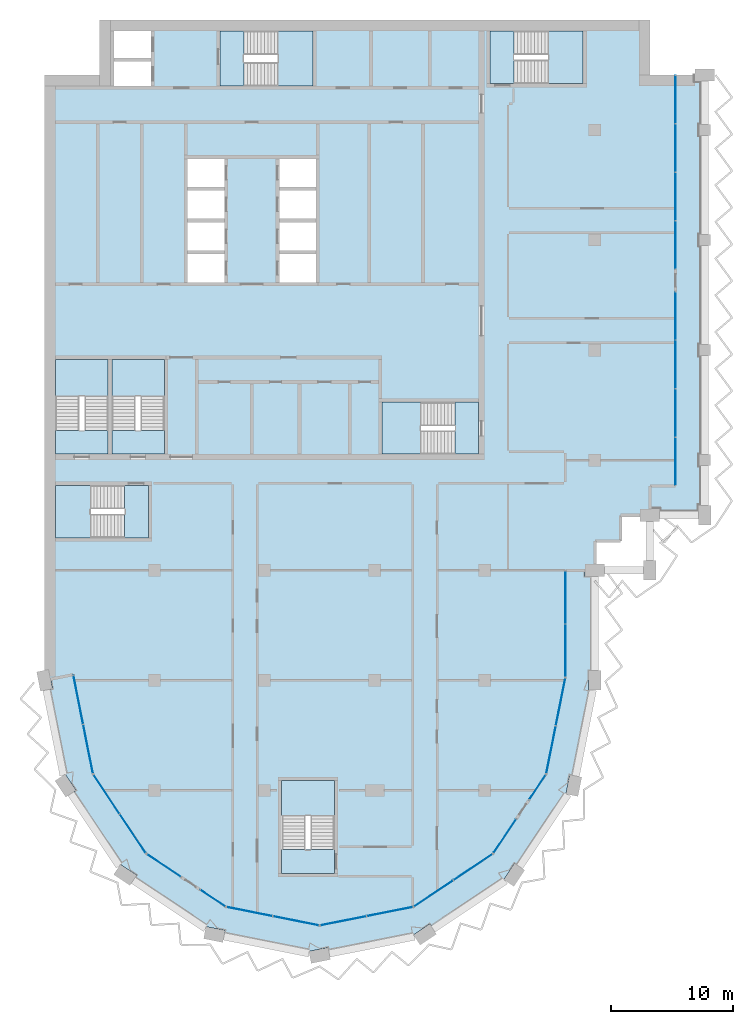
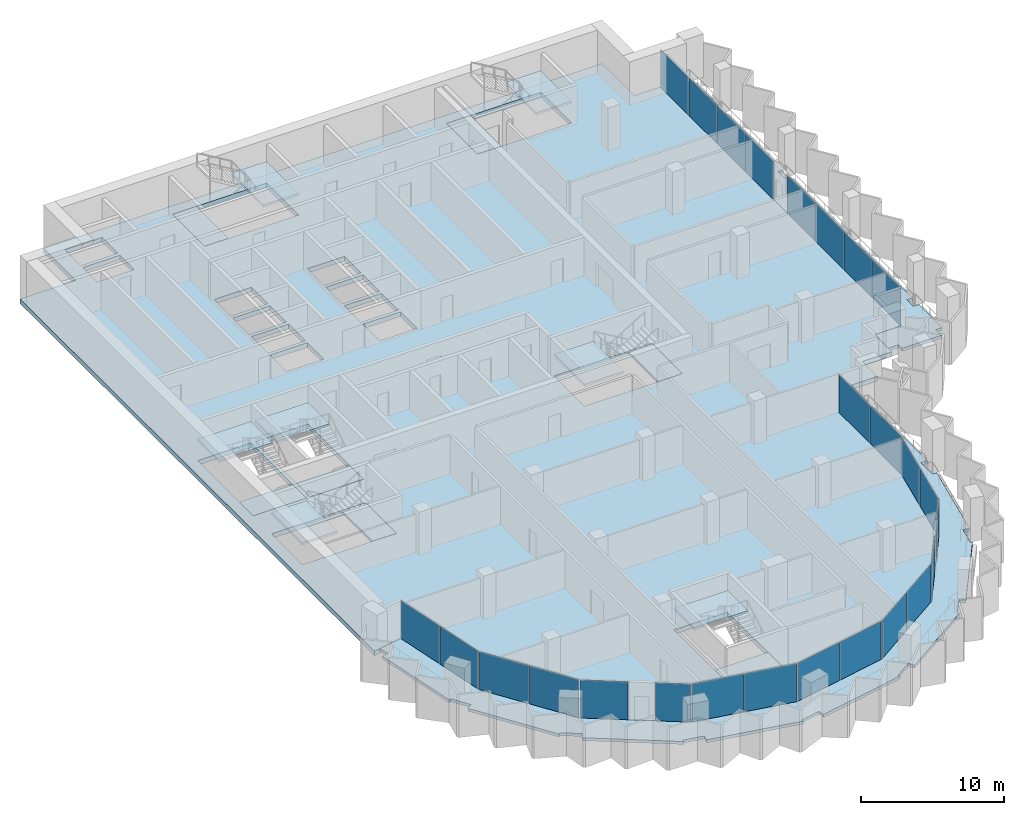
# One storey, part 6 of 16: 26 plates, 17 slabs, 20 elements without a shape of their own.
"""IFC4 building model written with IfcOpenShell, lengths in metres."""

import ifcopenshell
import ifcopenshell.guid

model = None  # the IFC model being written
_history = None  # IfcOwnerHistory: only IFC2X3 demands one
_inside = {}  # id of a spatial element -> (the spatial element, [elements in it])
_under = {}  # id of a project, library or spatial element -> (it, [spatial elements below it])
_declared = {}  # id of a project -> (the project, [libraries it declares])
_typed = {}  # id of a type object -> (the type object, [elements of that type])
_made_of = {}  # id of a material, layer set ... -> (it, [elements and type objects made of it])


def new_model(schema):
    """Start an empty IFC model of exactly this schema.

    Asked for "IFC4X3", IfcOpenShell would pick the latest addendum, in which some entities
    have other attributes; the version numbers below select the first issue.
    IFC2X3 requires an IfcOwnerHistory on every rooted entity: one is made here for all.
    """
    global model, _history
    if schema == "IFC4X3":
        model = ifcopenshell.file(schema_version=(4, 3, 0, 0))
    else:
        model = ifcopenshell.file(schema=schema)
    _inside.clear()
    _under.clear()
    _declared.clear()
    _typed.clear()
    _made_of.clear()
    _history = None
    if model.schema == "IFC2X3":
        org = make("IfcOrganization", Name="unknown")
        user = make(
            "IfcPersonAndOrganization",
            ThePerson=make("IfcPerson", FamilyName="unknown"),
            TheOrganization=org,
        )
        app = make(
            "IfcApplication",
            ApplicationDeveloper=org,
            Version="unknown",
            ApplicationFullName="unknown",
            ApplicationIdentifier="unknown",
        )
        _history = make(
            "IfcOwnerHistory",
            OwningUser=user,
            OwningApplication=app,
            ChangeAction="ADDED",
            CreationDate=0,
        )
    return model


def make(cls, **values):
    """One entity of the class cls with the attributes given. An attribute that is None is left unset."""
    return model.create_entity(
        cls, **{name: value for name, value in values.items() if value is not None}
    )


def rooted(cls, **values):
    """An entity with a GlobalId (a new one), such as an element, a storey or a relation."""
    return make(cls, GlobalId=ifcopenshell.guid.new(), OwnerHistory=_history, **values)


def si_unit(unit_type, name, prefix=None):
    """IfcSIUnit, for example si_unit("LENGTHUNIT", "METRE", prefix="MILLI")."""
    return make("IfcSIUnit", UnitType=unit_type, Prefix=prefix, Name=name)


def assignment(units):
    """IfcUnitAssignment: the units of a project."""
    return None if units is None else make("IfcUnitAssignment", Units=units)


def point(xyz):
    """IfcCartesianPoint."""
    return None if xyz is None else make("IfcCartesianPoint", Coordinates=xyz)


def direction(xyz):
    """IfcDirection."""
    return None if xyz is None else make("IfcDirection", DirectionRatios=xyz)


def frame(location, z_axis=None, x_axis=None):
    """IfcAxis2Placement3D, a coordinate frame: its origin and axes. An axis left out is left unset."""
    return make(
        "IfcAxis2Placement3D",
        Location=point(location),
        Axis=direction(z_axis),
        RefDirection=direction(x_axis),
    )


def frame_2d(location, x_axis=None):
    """IfcAxis2Placement2D, a coordinate frame in the plane: its origin and x axis."""
    return make(
        "IfcAxis2Placement2D", Location=point(location), RefDirection=direction(x_axis)
    )


def origin():
    """The frame at (0, 0, 0) with its axes left unset."""
    return frame((0.0, 0.0, 0.0))


def origin_2d():
    """The frame at (0, 0) in the plane with its x axis left unset."""
    return frame_2d((0.0, 0.0))


def place(relative_to, where):
    """IfcLocalPlacement: puts the frame where relative to a parent placement (None: the world)."""
    return make(
        "IfcLocalPlacement", PlacementRelTo=relative_to, RelativePlacement=where
    )


def context(
    kind, dimensions, precision=None, world=None, true_north=None, identifier=None
):
    """IfcGeometricRepresentationContext, for example the 3D "Model" context."""
    return make(
        "IfcGeometricRepresentationContext",
        ContextIdentifier=identifier,
        ContextType=kind,
        CoordinateSpaceDimension=dimensions,
        Precision=precision,
        WorldCoordinateSystem=world,
        TrueNorth=true_north,
    )


def subcontext(parent, identifier, kind, view, scale=None):
    """IfcGeometricRepresentationSubContext, for example "Body" below "Model"."""
    return make(
        "IfcGeometricRepresentationSubContext",
        ContextIdentifier=identifier,
        ContextType=kind,
        ParentContext=parent,
        TargetScale=scale,
        TargetView=view,
    )


def project(units=None, contexts=None):
    """IfcProject with its units and contexts."""
    return rooted(
        "IfcProject",
        Name="project",
        RepresentationContexts=contexts,
        UnitsInContext=assignment(units),
    )


def spatial(cls, under=None, at=None, **own):
    """A site, building, storey or space (cls), placed at a placement, below another one or the project."""
    s = rooted(cls, ObjectPlacement=at, **own)
    if under is not None:
        _under.setdefault(under.id(), (under, []))[1].append(s)
    return s


def polyline(points):
    """IfcPolyline through the points."""
    return make("IfcPolyline", Points=[point(p) for p in points])


def profile(cls, at=None, kind="AREA", **sizes):
    """A parametric profile (cls). Its sizes go by their IFC names, for example OverallWidth=200.0."""
    return make(cls, ProfileType=kind, Position=at, **sizes)


def rectangle(**sizes):
    """IfcRectangleProfileDef."""
    return profile("IfcRectangleProfileDef", **sizes)


def outline(outer, holes=None, kind="AREA"):
    """IfcArbitraryClosedProfileDef: a profile drawn as a closed curve; with holes, ...WithVoids."""
    if holes is None:
        return make("IfcArbitraryClosedProfileDef", ProfileType=kind, OuterCurve=outer)
    return make(
        "IfcArbitraryProfileDefWithVoids",
        ProfileType=kind,
        OuterCurve=outer,
        InnerCurves=holes,
    )


def extrude(swept, where, along, depth):
    """IfcExtrudedAreaSolid: the profile swept, set in the frame where, extruded along a direction by depth."""
    return make(
        "IfcExtrudedAreaSolid",
        SweptArea=swept,
        Position=where,
        ExtrudedDirection=direction(along),
        Depth=depth,
    )


def shape(context_of_items, identifier, shape_type, items):
    """IfcShapeRepresentation: the items that make up one representation, for example the "Body"."""
    return make(
        "IfcShapeRepresentation",
        ContextOfItems=context_of_items,
        RepresentationIdentifier=identifier,
        RepresentationType=shape_type,
        Items=items,
    )


def material(Name=None, Category=None):
    """IfcMaterial."""
    return make("IfcMaterial", Name=Name, Category=Category)


def layer(
    of_material, thickness, ventilated=None, Name=None, Category=None, Priority=None
):
    """IfcMaterialLayer: one layer of a wall or slab, of a material (None: an air gap)."""
    return make(
        "IfcMaterialLayer",
        Material=of_material,
        LayerThickness=thickness,
        IsVentilated=ventilated,
        Name=Name,
        Category=Category,
        Priority=Priority,
    )


def layer_set(layers, Name=None):
    """IfcMaterialLayerSet."""
    return make("IfcMaterialLayerSet", MaterialLayers=layers, LayerSetName=Name)


def made_of(thing, what):
    """Note that an element or type object is made of a material, layer set ...; save() writes the relation."""
    if what is not None:
        _made_of.setdefault(what.id(), (what, []))[1].append(thing)
    return thing


def type_object(cls, material=None, **own):
    """A type object (cls), such as IfcWallType, which elements share."""
    return made_of(rooted(cls, **own), material)


def element(
    cls,
    number,
    at=None,
    inside=None,
    cuts=None,
    type_object=None,
    material=None,
    context=None,
    identifier="Body",
    shape_type=None,
    held_by="IfcProductDefinitionShape",
    body=None,
    shapes=None,
    **own,
):
    """One element of the class cls, such as IfcWall. Its Tag is "e" and its number.

    at: its placement. inside: the storey or other place that contains it. cuts: it is an
    opening in that element (IfcRelVoidsElement). A single representation is given by context,
    identifier, shape_type and body (its items); several are given by shapes. held_by: the class
    of the entity that holds the representations. save() writes the other relations.
    """
    e = rooted(cls, Tag="e%d" % number, ObjectPlacement=at, **own)
    if body is not None:
        shapes = [shape(context, identifier, shape_type, body)]
    if shapes is not None:
        e.Representation = make(held_by, Representations=shapes)
    if inside is not None:
        _inside.setdefault(inside.id(), (inside, []))[1].append(e)
    if cuts is not None:
        rooted(
            "IfcRelVoidsElement", RelatingBuildingElement=cuts, RelatedOpeningElement=e
        )
    if type_object is not None:
        _typed.setdefault(type_object.id(), (type_object, []))[1].append(e)
    return made_of(e, material)


def aggregate(whole, parts):
    """IfcRelAggregates: a whole, such as a stair, and the parts it consists of."""
    return rooted("IfcRelAggregates", RelatingObject=whole, RelatedObjects=parts)


def save(model, path):
    """Write the relations noted so far, then the file.

    IfcRelAggregates (storeys below a building ...), IfcRelContainedInSpatialStructure (elements
    in a storey), IfcRelDefinesByType, IfcRelAssociatesMaterial and IfcRelDeclares: one each for
    every whole, place, type object, material and project.
    """
    for whole, parts in _under.values():
        aggregate(whole, parts)
    for where, things in _inside.values():
        rooted(
            "IfcRelContainedInSpatialStructure",
            RelatedElements=things,
            RelatingStructure=where,
        )
    for kind, things in _typed.values():
        rooted("IfcRelDefinesByType", RelatedObjects=things, RelatingType=kind)
    for what, things in _made_of.values():
        rooted("IfcRelAssociatesMaterial", RelatedObjects=things, RelatingMaterial=what)
    for by, libraries in _declared.values():
        rooted("IfcRelDeclares", RelatingContext=by, RelatedDefinitions=libraries)
    model.write(path)


model = new_model("IFC4")

# Units and contexts
model_context = context("Model", 3, precision=1e-05, world=origin(), true_north=direction((0.0, 1.0)))
body_context = subcontext(model_context, "Body", "Model", "MODEL_VIEW")
ifc_project = project(units=[si_unit("LENGTHUNIT", "METRE"), si_unit("AREAUNIT", "SQUARE_METRE"), si_unit("VOLUMEUNIT", "CUBIC_METRE"), si_unit("PLANEANGLEUNIT", "RADIAN"), si_unit("MASSUNIT", "GRAM", prefix="KILO")], contexts=[model_context])

# Site, building, storey
site_placement = place(None, origin())
site = spatial("IfcSite", under=ifc_project, at=site_placement, CompositionType="ELEMENT")
building_placement = place(site_placement, origin())
building = spatial("IfcBuilding", under=site, at=building_placement, Name="Hunhe Ridgeline Campus", CompositionType="ELEMENT")
storey_placement = place(building_placement, frame((0.0, 0.0, 250.300048828125)))
storey = spatial("IfcBuildingStorey", under=building, at=storey_placement, Name="L64", CompositionType="ELEMENT", Elevation=250.300048828125)

# Curtain wall, plates
ifc_material_1 = material(Name="Aluminium 6063", Category="aluminium")
curtain_wall_type_1 = type_object("IfcCurtainWallType", Name="Curtain wall CW-5", PredefinedType="NOTDEFINED", material=ifc_material_1)
curtain_wall_1_placement = place(storey_placement, origin())
curtain_wall_1 = element("IfcCurtainWall", 1, at=curtain_wall_1_placement, inside=storey, type_object=curtain_wall_type_1, Name="Curtain wall 01", PredefinedType="NOTDEFINED")
ifc_material_2 = material(Name="Low-e laminated glass", Category="glass")
ifc_layer_1 = layer(ifc_material_2, 0.028076171875)
ifc_layer_set_1 = layer_set([ifc_layer_1], Name="Curtain wall glass panel 28 low-e laminated")
plate_type = type_object("IfcPlateType", Name="Curtain wall glass panel 28 low-e laminated", PredefinedType="CURTAIN_PANEL", material=ifc_layer_set_1)
plate_1_placement = place(storey_placement, frame((2.76318359375, 43.416015625, 0.0), z_axis=(0.0, 0.0, 1.0), x_axis=(0.195095347137, -0.980784280831, 0.0)))
plate_1 = element("IfcPlate", 2, at=plate_1_placement, type_object=plate_type, Name="CW-5 panel 1", PredefinedType="CURTAIN_PANEL", context=body_context, shape_type="SweptSolid", body=[
    extrude(rectangle(XDim=4.0458984375, YDim=0.028076171875, at=origin_2d()), origin(), (0.0, 0.0, 1.0), 3.22998046875),
])
plate_2_placement = place(storey_placement, frame((3.566162109375, 39.379150390625, 0.0), z_axis=(0.0, 0.0, 1.0), x_axis=(0.195095347137, -0.980784280831, 0.0)))
plate_2 = element("IfcPlate", 3, at=plate_2_placement, type_object=plate_type, Name="CW-5 panel 2", PredefinedType="CURTAIN_PANEL", context=body_context, shape_type="SweptSolid", body=[
    extrude(rectangle(XDim=4.0458984375, YDim=0.028076171875, at=origin_2d()), origin(), (0.0, 0.0, 1.0), 3.22998046875),
])
aggregate(curtain_wall_1, [plate_1, plate_2])

curtain_wall_2_placement = place(storey_placement, origin())
curtain_wall_2 = element("IfcCurtainWall", 4, at=curtain_wall_2_placement, inside=storey, type_object=curtain_wall_type_1, Name="Curtain wall 02", PredefinedType="NOTDEFINED")
plate_3_placement = place(storey_placement, frame((5.07080078125, 35.685546875, 0.0), z_axis=(0.0, 0.0, 1.0), x_axis=(0.555570274596, -0.831469584522, 0.0)))
plate_3 = element("IfcPlate", 5, at=plate_3_placement, type_object=plate_type, Name="CW-5 panel 1", PredefinedType="CURTAIN_PANEL", context=body_context, shape_type="SweptSolid", body=[
    extrude(rectangle(XDim=3.806884765625, YDim=0.028076171875, at=origin_2d()), origin(), (0.0, 0.0, 1.0), 3.22998046875),
])
plate_4_placement = place(storey_placement, frame((7.224609375, 32.4619140625, 0.0), z_axis=(0.0, 0.0, 1.0), x_axis=(0.555570274596, -0.831469584522, 0.0)))
plate_4 = element("IfcPlate", 6, at=plate_4_placement, type_object=plate_type, Name="CW-5 panel 2", PredefinedType="CURTAIN_PANEL", context=body_context, shape_type="SweptSolid", body=[
    extrude(rectangle(XDim=3.806884765625, YDim=0.028076171875, at=origin_2d()), origin(), (0.0, 0.0, 1.0), 3.22998046875),
])
aggregate(curtain_wall_2, [plate_3, plate_4])

# Curtain wall, plate
curtain_wall_3_placement = place(storey_placement, origin())
curtain_wall_3 = element("IfcCurtainWall", 7, at=curtain_wall_3_placement, inside=storey, type_object=curtain_wall_type_1, Name="Curtain wall 03", PredefinedType="NOTDEFINED")
plate_5_placement = place(storey_placement, frame((9.76025390625, 29.859375, 0.0), z_axis=(0.0, 0.0, 1.0), x_axis=(0.831469595944, -0.555570257501, 0.0)))
plate_5 = element("IfcPlate", 8, at=plate_5_placement, type_object=plate_type, Name="CW-5 panel 1", PredefinedType="CURTAIN_PANEL", context=body_context, shape_type="SweptSolid", body=[
    extrude(rectangle(XDim=3.322021484375, YDim=0.028076171875, at=origin_2d()), origin(), (0.0, 0.0, 1.0), 3.22998046875),
])
aggregate(curtain_wall_3, [plate_5])

curtain_wall_4_placement = place(storey_placement, origin())
curtain_wall_4 = element("IfcCurtainWall", 9, at=curtain_wall_4_placement, inside=storey, type_object=curtain_wall_type_1, Name="Curtain wall 04", PredefinedType="NOTDEFINED")
plate_6_placement = place(storey_placement, frame((13.761474609375, 27.18603515625, 0.0), z_axis=(0.0, 0.0, 1.0), x_axis=(0.831469510353, -0.555570385598, 0.0)))
plate_6 = element("IfcPlate", 10, at=plate_6_placement, type_object=plate_type, Name="CW-5 panel 1", PredefinedType="CURTAIN_PANEL", context=body_context, shape_type="SweptSolid", body=[
    extrude(rectangle(XDim=2.421875, YDim=0.028076171875, at=origin_2d()), origin(), (0.0, 0.0, 1.0), 3.22998046875),
])
aggregate(curtain_wall_4, [plate_6])

# Curtain wall, plates
curtain_wall_5_placement = place(storey_placement, origin())
curtain_wall_5 = element("IfcCurtainWall", 11, at=curtain_wall_5_placement, inside=storey, type_object=curtain_wall_type_1, Name="Curtain wall 05", PredefinedType="NOTDEFINED")
plate_7_placement = place(storey_placement, frame((16.761962890625, 26.08935546875, 0.0), z_axis=(0.0, 0.0, 1.0), x_axis=(0.980785275326, -0.195090347539, 0.0)))
plate_7 = element("IfcPlate", 12, at=plate_7_placement, type_object=plate_type, Name="CW-5 panel 1", PredefinedType="CURTAIN_PANEL", context=body_context, shape_type="SweptSolid", body=[
    extrude(rectangle(XDim=3.806884765625, YDim=0.028076171875, at=origin_2d()), origin(), (0.0, 0.0, 1.0), 3.22998046875),
])
plate_8_placement = place(storey_placement, frame((20.564453125, 25.3330078125, 0.0), z_axis=(0.0, 0.0, 1.0), x_axis=(0.980785275326, -0.195090347539, 0.0)))
plate_8 = element("IfcPlate", 13, at=plate_8_placement, type_object=plate_type, Name="CW-5 panel 2", PredefinedType="CURTAIN_PANEL", context=body_context, shape_type="SweptSolid", body=[
    extrude(rectangle(XDim=3.806884765625, YDim=0.028076171875, at=origin_2d()), origin(), (0.0, 0.0, 1.0), 3.22998046875),
])
aggregate(curtain_wall_5, [plate_7, plate_8])

curtain_wall_6_placement = place(storey_placement, origin())
curtain_wall_6 = element("IfcCurtainWall", 14, at=curtain_wall_6_placement, inside=storey, type_object=curtain_wall_type_1, Name="Curtain wall 06", PredefinedType="NOTDEFINED")
plate_9_placement = place(storey_placement, frame((24.435546875, 25.3330078125, 0.0), z_axis=(0.0, 0.0, 1.0), x_axis=(0.980785275326, 0.195090347539, 0.0)))
plate_9 = element("IfcPlate", 15, at=plate_9_placement, type_object=plate_type, Name="CW-5 panel 1", PredefinedType="CURTAIN_PANEL", context=body_context, shape_type="SweptSolid", body=[
    extrude(rectangle(XDim=3.806884765625, YDim=0.028076171875, at=origin_2d()), origin(), (0.0, 0.0, 1.0), 3.22998046875),
])
plate_10_placement = place(storey_placement, frame((28.238037109375, 26.08935546875, 0.0), z_axis=(0.0, 0.0, 1.0), x_axis=(0.980785275326, 0.195090347539, 0.0)))
plate_10 = element("IfcPlate", 16, at=plate_10_placement, type_object=plate_type, Name="CW-5 panel 2", PredefinedType="CURTAIN_PANEL", context=body_context, shape_type="SweptSolid", body=[
    extrude(rectangle(XDim=3.806884765625, YDim=0.028076171875, at=origin_2d()), origin(), (0.0, 0.0, 1.0), 3.22998046875),
])
aggregate(curtain_wall_6, [plate_9, plate_10])

curtain_wall_7_placement = place(storey_placement, origin())
curtain_wall_7 = element("IfcCurtainWall", 17, at=curtain_wall_7_placement, inside=storey, type_object=curtain_wall_type_1, Name="Curtain wall 07", PredefinedType="NOTDEFINED")
plate_11_placement = place(storey_placement, frame((31.814453125, 27.57080078125, 0.0), z_axis=(0.0, 0.0, 1.0), x_axis=(0.831469584522, 0.555570274596, 0.0)))
plate_11 = element("IfcPlate", 18, at=plate_11_placement, type_object=plate_type, Name="CW-5 panel 1", PredefinedType="CURTAIN_PANEL", context=body_context, shape_type="SweptSolid", body=[
    extrude(rectangle(XDim=3.806884765625, YDim=0.028076171875, at=origin_2d()), origin(), (0.0, 0.0, 1.0), 3.22998046875),
])
plate_12_placement = place(storey_placement, frame((35.0380859375, 29.724609375, 0.0), z_axis=(0.0, 0.0, 1.0), x_axis=(0.831469584522, 0.555570274596, 0.0)))
plate_12 = element("IfcPlate", 19, at=plate_12_placement, type_object=plate_type, Name="CW-5 panel 2", PredefinedType="CURTAIN_PANEL", context=body_context, shape_type="SweptSolid", body=[
    extrude(rectangle(XDim=3.806884765625, YDim=0.028076171875, at=origin_2d()), origin(), (0.0, 0.0, 1.0), 3.22998046875),
])
aggregate(curtain_wall_7, [plate_11, plate_12])

# Curtain wall, plate
curtain_wall_8_placement = place(storey_placement, origin())
curtain_wall_8 = element("IfcCurtainWall", 20, at=curtain_wall_8_placement, inside=storey, type_object=curtain_wall_type_1, Name="Curtain wall 08", PredefinedType="NOTDEFINED")
plate_13_placement = place(storey_placement, frame((37.640625, 32.26025390625, 0.0), z_axis=(0.0, 0.0, 1.0), x_axis=(0.555570257501, 0.831469595944, 0.0)))
plate_13 = element("IfcPlate", 21, at=plate_13_placement, type_object=plate_type, Name="CW-5 panel 1", PredefinedType="CURTAIN_PANEL", context=body_context, shape_type="SweptSolid", body=[
    extrude(rectangle(XDim=3.322021484375, YDim=0.028076171875, at=origin_2d()), origin(), (0.0, 0.0, 1.0), 3.22998046875),
])
aggregate(curtain_wall_8, [plate_13])

curtain_wall_9_placement = place(storey_placement, origin())
curtain_wall_9 = element("IfcCurtainWall", 22, at=curtain_wall_9_placement, inside=storey, type_object=curtain_wall_type_1, Name="Curtain wall 09", PredefinedType="NOTDEFINED")
plate_14_placement = place(storey_placement, frame((40.31396484375, 36.261474609375, 0.0), z_axis=(0.0, 0.0, 1.0), x_axis=(0.555570385598, 0.831469510353, 0.0)))
plate_14 = element("IfcPlate", 23, at=plate_14_placement, type_object=plate_type, Name="CW-5 panel 1", PredefinedType="CURTAIN_PANEL", context=body_context, shape_type="SweptSolid", body=[
    extrude(rectangle(XDim=2.421875, YDim=0.028076171875, at=origin_2d()), origin(), (0.0, 0.0, 1.0), 3.22998046875),
])
aggregate(curtain_wall_9, [plate_14])

# Curtain wall, plates
curtain_wall_10_placement = place(storey_placement, origin())
curtain_wall_10 = element("IfcCurtainWall", 24, at=curtain_wall_10_placement, inside=storey, type_object=curtain_wall_type_1, Name="Curtain wall 10", PredefinedType="NOTDEFINED")
plate_15_placement = place(storey_placement, frame((41.42236328125, 39.321044921875, 0.0), z_axis=(0.0, 0.0, 1.0), x_axis=(0.195090299215, 0.980785284939, 0.0)))
plate_15 = element("IfcPlate", 25, at=plate_15_placement, type_object=plate_type, Name="CW-5 panel 1", PredefinedType="CURTAIN_PANEL", context=body_context, shape_type="SweptSolid", body=[
    extrude(rectangle(XDim=3.927490234375, YDim=0.028076171875, at=origin_2d()), origin(), (0.0, 0.0, 1.0), 3.22998046875),
])
plate_16_placement = place(storey_placement, frame((42.2021484375, 43.24169921875, 0.0), z_axis=(0.0, 0.0, 1.0), x_axis=(0.195090299215, 0.980785284939, 0.0)))
plate_16 = element("IfcPlate", 26, at=plate_16_placement, type_object=plate_type, Name="CW-5 panel 2", PredefinedType="CURTAIN_PANEL", context=body_context, shape_type="SweptSolid", body=[
    extrude(rectangle(XDim=3.927490234375, YDim=0.028076171875, at=origin_2d()), origin(), (0.0, 0.0, 1.0), 3.22998046875),
])
aggregate(curtain_wall_10, [plate_15, plate_16])

curtain_wall_type_2 = type_object("IfcCurtainWallType", Name="Curtain wall CW-1", PredefinedType="NOTDEFINED", material=ifc_material_1)
curtain_wall_11_placement = place(storey_placement, origin())
curtain_wall_11 = element("IfcCurtainWall", 27, at=curtain_wall_11_placement, inside=storey, type_object=curtain_wall_type_2, Name="Curtain wall 11", PredefinedType="NOTDEFINED")
plate_17_placement = place(storey_placement, frame((42.59912109375, 47.4423828125, 0.0), z_axis=(0.0, 0.0, 1.0), x_axis=(1.9283253e-05, 0.999999999814, 0.0)))
plate_17 = element("IfcPlate", 28, at=plate_17_placement, type_object=plate_type, Name="CW-1 panel 1", PredefinedType="CURTAIN_PANEL", context=body_context, shape_type="SweptSolid", body=[
    extrude(rectangle(XDim=4.2919921875, YDim=0.028076171875, at=origin_2d()), origin(), (0.0, 0.0, 1.0), 3.239990234375),
])
plate_18_placement = place(storey_placement, frame((42.59912109375, 51.79443359375, 0.0), z_axis=(0.0, 0.0, 1.0), x_axis=(1.9283253e-05, 0.999999999814, 0.0)))
plate_18 = element("IfcPlate", 29, at=plate_18_placement, type_object=plate_type, Name="CW-1 panel 2", PredefinedType="CURTAIN_PANEL", context=body_context, shape_type="SweptSolid", body=[
    extrude(rectangle(XDim=4.2919921875, YDim=0.028076171875, at=origin_2d()), origin(), (0.0, 0.0, 1.0), 3.239990234375),
])
aggregate(curtain_wall_11, [plate_17, plate_18])

curtain_wall_12_placement = place(storey_placement, origin())
curtain_wall_12 = element("IfcCurtainWall", 30, at=curtain_wall_12_placement, inside=storey, type_object=curtain_wall_type_2, Name="Curtain wall 12", PredefinedType="NOTDEFINED")
plate_19_placement = place(storey_placement, frame((51.59912109375, 62.9033203125, 0.0), z_axis=(0.0, 0.0, 1.0), x_axis=(0.0, 1.0, 0.0)))
plate_19 = element("IfcPlate", 31, at=plate_19_placement, type_object=plate_type, Name="CW-1 panel 1", PredefinedType="CURTAIN_PANEL", context=body_context, shape_type="SweptSolid", body=[
    extrude(rectangle(XDim=3.884765625, YDim=0.028076171875, at=origin_2d()), origin(), (0.0, 0.0, 1.0), 3.239990234375),
])
plate_20_placement = place(storey_placement, frame((51.59912109375, 66.86328125, 0.0), z_axis=(0.0, 0.0, 1.0), x_axis=(0.0, 1.0, 0.0)))
plate_20 = element("IfcPlate", 32, at=plate_20_placement, type_object=plate_type, Name="CW-1 panel 2", PredefinedType="CURTAIN_PANEL", context=body_context, shape_type="SweptSolid", body=[
    extrude(rectangle(XDim=3.914794921875, YDim=0.028076171875, at=origin_2d()), origin(), (0.0, 0.0, 1.0), 3.239990234375),
])
plate_21_placement = place(storey_placement, frame((51.59912109375, 70.838134765625, 0.0), z_axis=(0.0, 0.0, 1.0), x_axis=(0.0, 1.0, 0.0)))
plate_21 = element("IfcPlate", 33, at=plate_21_placement, type_object=plate_type, Name="CW-1 panel 3", PredefinedType="CURTAIN_PANEL", context=body_context, shape_type="SweptSolid", body=[
    extrude(rectangle(XDim=3.914794921875, YDim=0.028076171875, at=origin_2d()), origin(), (0.0, 0.0, 1.0), 3.239990234375),
])
plate_22_placement = place(storey_placement, frame((51.59912109375, 74.798095703125, 0.0), z_axis=(0.0, 0.0, 1.0), x_axis=(0.0, 1.0, 0.0)))
plate_22 = element("IfcPlate", 34, at=plate_22_placement, type_object=plate_type, Name="CW-1 panel 4", PredefinedType="CURTAIN_PANEL", context=body_context, shape_type="SweptSolid", body=[
    extrude(rectangle(XDim=3.884765625, YDim=0.028076171875, at=origin_2d()), origin(), (0.0, 0.0, 1.0), 3.239990234375),
])
aggregate(curtain_wall_12, [plate_19, plate_20, plate_21, plate_22])

curtain_wall_13_placement = place(storey_placement, origin())
curtain_wall_13 = element("IfcCurtainWall", 35, at=curtain_wall_13_placement, inside=storey, type_object=curtain_wall_type_2, Name="Curtain wall 13", PredefinedType="NOTDEFINED")
plate_23_placement = place(storey_placement, frame((51.59912109375, 80.60302734375, 0.0), z_axis=(0.0, 0.0, 1.0), x_axis=(0.0, 1.0, 0.0)))
plate_23 = element("IfcPlate", 36, at=plate_23_placement, type_object=plate_type, Name="CW-1 panel 1", PredefinedType="CURTAIN_PANEL", context=body_context, shape_type="SweptSolid", body=[
    extrude(rectangle(XDim=3.884765625, YDim=0.028076171875, at=origin_2d()), origin(), (0.0, 0.0, 1.0), 3.239990234375),
])
plate_24_placement = place(storey_placement, frame((51.59912109375, 84.562744140625, 0.0), z_axis=(0.0, 0.0, 1.0), x_axis=(0.0, 1.0, 0.0)))
plate_24 = element("IfcPlate", 37, at=plate_24_placement, type_object=plate_type, Name="CW-1 panel 2", PredefinedType="CURTAIN_PANEL", context=body_context, shape_type="SweptSolid", body=[
    extrude(rectangle(XDim=3.914794921875, YDim=0.028076171875, at=origin_2d()), origin(), (0.0, 0.0, 1.0), 3.239990234375),
])
plate_25_placement = place(storey_placement, frame((51.59912109375, 88.53759765625, 0.0), z_axis=(0.0, 0.0, 1.0), x_axis=(0.0, 1.0, 0.0)))
plate_25 = element("IfcPlate", 38, at=plate_25_placement, type_object=plate_type, Name="CW-1 panel 3", PredefinedType="CURTAIN_PANEL", context=body_context, shape_type="SweptSolid", body=[
    extrude(rectangle(XDim=3.914794921875, YDim=0.028076171875, at=origin_2d()), origin(), (0.0, 0.0, 1.0), 3.239990234375),
])
plate_26_placement = place(storey_placement, frame((51.59912109375, 92.49755859375, 0.0), z_axis=(0.0, 0.0, 1.0), x_axis=(0.0, 1.0, 0.0)))
plate_26 = element("IfcPlate", 39, at=plate_26_placement, type_object=plate_type, Name="CW-1 panel 4", PredefinedType="CURTAIN_PANEL", context=body_context, shape_type="SweptSolid", body=[
    extrude(rectangle(XDim=3.884765625, YDim=0.028076171875, at=origin_2d()), origin(), (0.0, 0.0, 1.0), 3.239990234375),
])
aggregate(curtain_wall_13, [plate_23, plate_24, plate_25, plate_26])

# Slabs
ifc_material_3 = material(Name="Concrete C40", Category="concrete")
ifc_layer_2 = layer(ifc_material_3, 0.39990234375)
ifc_layer_set_2 = layer_set([ifc_layer_2], Name="Floor slab 400 Concrete C40")
slab_type_1 = type_object("IfcSlabType", Name="Floor slab 400 Concrete C40", PredefinedType="FLOOR", material=ifc_layer_set_2)
slab_1_placement = place(storey_placement, frame((0.0, 0.0, -0.400146484375)))
element("IfcSlab", 40, at=slab_1_placement, inside=storey, type_object=slab_type_1, Name="Floor slab L64 1", PredefinedType="FLOOR", context=body_context, shape_type="SweptSolid", body=[
    extrude(outline(polyline([(36.678955078125, 30.821044921875), (41.025634765625, 37.326416015625), (42.59912109375, 45.236572265625), (42.59912109375, 54.00048828125), (44.9990234375, 54.0009765625), (44.999267578125, 56.400634765625), (47.09912109375, 56.40087890625), (47.099609375, 58.5009765625), (49.4990234375, 58.5009765625), (49.49951171875, 60.90087890625), (51.59912109375, 60.90087890625), (51.59912109375, 94.5), (49.5, 94.5), (49.5, 99.0), (4.5, 99.0), (4.5, 94.5), (0.0, 94.5), (0.0, 45.0009765625), (2.354736328125, 45.46875), (3.974365234375, 37.326416015625), (8.321044921875, 30.821044921875), (14.826416015625, 26.474365234375), (22.5, 24.947998046875), (30.173583984375, 26.474365234375), (36.678955078125, 30.821044921875)]), holes=[polyline([(36.449951171875, 98.10009765625), (36.449951171875, 93.800048828125), (44.050048828125, 93.800048828125), (44.050048828125, 98.10009765625), (36.449951171875, 98.10009765625)]), polyline([(27.60009765625, 63.5), (35.5, 63.5), (35.5, 67.75), (27.60009765625, 67.75), (27.60009765625, 63.5)]), polyline([(19.39990234375, 36.800048828125), (19.39990234375, 29.199951171875), (23.699951171875, 29.199951171875), (23.699951171875, 36.800048828125), (19.39990234375, 36.800048828125)]), polyline([(22.199951171875, 87.64990234375), (19.199951171875, 87.64990234375), (19.199951171875, 85.35009765625), (22.199951171875, 85.35009765625), (22.199951171875, 87.64990234375)]), polyline([(22.199951171875, 77.550048828125), (22.199951171875, 79.85009765625), (19.199951171875, 79.85009765625), (19.199951171875, 77.550048828125), (22.199951171875, 77.550048828125)]), polyline([(19.199951171875, 85.050048828125), (19.199951171875, 82.75), (22.199951171875, 82.75), (22.199951171875, 85.050048828125), (19.199951171875, 85.050048828125)]), polyline([(19.199951171875, 80.14990234375), (22.199951171875, 80.14990234375), (22.199951171875, 82.449951171875), (19.199951171875, 82.449951171875), (19.199951171875, 80.14990234375)]), polyline([(14.35009765625, 98.10009765625), (14.35009765625, 93.60009765625), (21.949951171875, 93.60009765625), (21.949951171875, 98.10009765625), (14.35009765625, 98.10009765625)]), polyline([(14.699951171875, 87.64990234375), (11.699951171875, 87.64990234375), (11.699951171875, 85.35009765625), (14.699951171875, 85.35009765625), (14.699951171875, 87.64990234375)]), polyline([(14.699951171875, 77.550048828125), (14.699951171875, 79.85009765625), (11.699951171875, 79.85009765625), (11.699951171875, 77.550048828125), (14.699951171875, 77.550048828125)]), polyline([(11.699951171875, 85.050048828125), (11.699951171875, 82.75), (14.699951171875, 82.75), (14.699951171875, 85.050048828125), (11.699951171875, 85.050048828125)]), polyline([(11.699951171875, 80.14990234375), (14.699951171875, 80.14990234375), (14.699951171875, 82.449951171875), (11.699951171875, 82.449951171875), (11.699951171875, 80.14990234375)]), polyline([(9.800048828125, 63.5), (9.800048828125, 71.25), (5.5, 71.25), (5.5, 63.5), (9.800048828125, 63.5)]), polyline([(8.699951171875, 93.60009765625), (8.699951171875, 95.60009765625), (5.699951171875, 95.60009765625), (5.699951171875, 93.60009765625), (8.699951171875, 93.60009765625)]), polyline([(5.699951171875, 95.89990234375), (8.699951171875, 95.89990234375), (8.699951171875, 98.10009765625), (5.699951171875, 98.10009765625), (5.699951171875, 95.89990234375)]), polyline([(0.89990234375, 60.949951171875), (0.89990234375, 56.64990234375), (8.5, 56.64990234375), (8.5, 60.949951171875), (0.89990234375, 60.949951171875)]), polyline([(5.199951171875, 71.25), (0.89990234375, 71.25), (0.89990234375, 63.5), (5.199951171875, 63.5), (5.199951171875, 71.25)])]), origin(), (0.0, 0.0, 1.0), 0.400146484375),
])
ifc_layer_3 = layer(ifc_material_3, 0.25)
ifc_layer_set_3 = layer_set([ifc_layer_3], Name="Loggia slab 250 Concrete C40")
slab_type_2 = type_object("IfcSlabType", Name="Loggia slab 250 Concrete C40", PredefinedType="FLOOR", material=ifc_layer_set_3)
slab_2_placement = place(storey_placement, frame((0.0, 0.0, -0.25)))
element("IfcSlab", 41, at=slab_2_placement, inside=storey, type_object=slab_type_2, Name="Loggia slab 1", PredefinedType="FLOOR", context=body_context, shape_type="SweptSolid", body=[
    extrude(outline(polyline([(30.173828125, 26.473388671875), (22.5, 24.947021484375), (14.826171875, 26.473388671875), (8.3203125, 30.8203125), (3.973388671875, 37.326171875), (2.35400390625, 45.46826171875), (0.490478515625, 45.09765625), (0.646484375, 44.31298828125), (0.156005859375, 44.21533203125), (1.543701171875, 37.239013671875), (1.68408203125, 37.33251953125), (2.572998046875, 36.002197265625), (2.1572265625, 35.724365234375), (6.109130859375, 29.81005859375), (6.20263671875, 29.9501953125), (7.532958984375, 29.061279296875), (7.25537109375, 28.645751953125), (13.169677734375, 24.69384765625), (13.20263671875, 24.859130859375), (14.771728515625, 24.547119140625), (14.67431640625, 24.056640625), (21.650634765625, 22.6689453125), (21.617919921875, 22.834228515625), (23.18701171875, 23.146484375), (23.28466796875, 22.656005859375), (30.260986328125, 24.043701171875), (30.16748046875, 24.18408203125), (31.497802734375, 25.072998046875), (31.775634765625, 24.6572265625), (37.68994140625, 28.609130859375), (37.5498046875, 28.70263671875), (38.438720703125, 30.032958984375), (38.854248046875, 29.75537109375), (42.80615234375, 35.669677734375), (42.640869140625, 35.70263671875), (42.952880859375, 37.271728515625), (43.443359375, 37.17431640625), (44.8408203125, 44.199951171875), (44.5, 44.199951171875), (44.5, 45.800048828125), (45.0, 45.800048828125), (45.0, 53.5), (44.199951171875, 53.5), (44.199951171875, 54.0), (42.60009765625, 54.0), (42.60009765625, 45.236328125), (41.026611328125, 37.326171875), (36.6796875, 30.8203125), (30.173828125, 26.473388671875)])), origin(), (0.0, 0.0, 1.0), 0.25),
])
slab_3_placement = place(storey_placement, frame((0.0, 0.0, -0.25)))
element("IfcSlab", 42, at=slab_3_placement, inside=storey, type_object=slab_type_2, Name="Loggia slab 2", PredefinedType="FLOOR", context=body_context, shape_type="SweptSolid", body=[
    extrude(outline(polyline([(49.5, 59.0), (50.300048828125, 59.0), (50.300048828125, 58.5), (53.5, 58.5), (53.5, 59.300048828125), (54.0, 59.300048828125), (54.0, 62.550048828125), (53.550048828125, 62.550048828125), (53.550048828125, 63.449951171875), (54.0, 63.449951171875), (54.0, 71.550048828125), (53.550048828125, 71.550048828125), (53.550048828125, 72.449951171875), (54.0, 72.449951171875), (54.0, 80.550048828125), (53.550048828125, 80.550048828125), (53.550048828125, 81.449951171875), (54.0, 81.449951171875), (54.0, 89.550048828125), (53.550048828125, 89.550048828125), (53.550048828125, 90.449951171875), (54.0, 90.449951171875), (54.0, 94.0), (53.199951171875, 94.0), (53.199951171875, 94.5), (51.60009765625, 94.5), (51.60009765625, 60.89990234375), (49.5, 60.89990234375), (49.5, 59.0)])), origin(), (0.0, 0.0, 1.0), 0.25),
])

# Stair, slab
stair_type = type_object("IfcStairType", Name="Reinforced concrete dog-leg stair 1950 Concrete C40", PredefinedType="HALF_TURN_STAIR", material=ifc_material_3)
stair_1_placement = place(storey_placement, origin())
stair_1 = element("IfcStair", 43, at=stair_1_placement, inside=storey, type_object=stair_type, Name="L64 S1", PredefinedType="HALF_TURN_STAIR")
ifc_layer_4 = layer(ifc_material_3, 0.199951171875)
ifc_layer_set_4 = layer_set([ifc_layer_4], Name="Reinforced concrete stair landing 200 Concrete C40")
slab_type_3 = type_object("IfcSlabType", Name="Reinforced concrete stair landing 200 Concrete C40", PredefinedType="LANDING", material=ifc_layer_set_4)
slab_4_placement = place(storey_placement, frame((0.0, 0.0, 1.64990234375)))
slab_4 = element("IfcSlab", 44, at=slab_4_placement, type_object=slab_type_3, Name="ST1 landing 1", PredefinedType="LANDING", context=body_context, shape_type="SweptSolid", body=[
    extrude(outline(polyline([(19.10009765625, 93.60009765625), (21.949951171875, 93.60009765625), (21.949951171875, 98.10009765625), (19.10009765625, 98.10009765625), (19.10009765625, 93.60009765625)])), origin(), (0.0, 0.0, 1.0), 0.199951171875),
])
aggregate(stair_1, [slab_4])

# Slab
slab_5_placement = place(storey_placement, frame((0.0, 0.0, -0.199951171875)))
element("IfcSlab", 45, at=slab_5_placement, inside=storey, type_object=slab_type_3, Name="L64 stair S1 floor landing", PredefinedType="LANDING", context=body_context, shape_type="SweptSolid", body=[
    extrude(outline(polyline([(14.35009765625, 93.60009765625), (16.300048828125, 93.60009765625), (16.300048828125, 98.10009765625), (14.35009765625, 98.10009765625), (14.35009765625, 93.60009765625)])), origin(), (0.0, 0.0, 1.0), 0.199951171875),
])

# Stair, slab
stair_2_placement = place(storey_placement, origin())
stair_2 = element("IfcStair", 46, at=stair_2_placement, inside=storey, type_object=stair_type, Name="L64 S2", PredefinedType="HALF_TURN_STAIR")
slab_6_placement = place(storey_placement, frame((0.0, 0.0, 1.64990234375)))
slab_6 = element("IfcSlab", 47, at=slab_6_placement, type_object=slab_type_3, Name="ST2 landing 1", PredefinedType="LANDING", context=body_context, shape_type="SweptSolid", body=[
    extrude(outline(polyline([(30.75, 67.75), (27.60009765625, 67.75), (27.60009765625, 63.5), (30.75, 63.5), (30.75, 67.75)])), origin(), (0.0, 0.0, 1.0), 0.199951171875),
])
aggregate(stair_2, [slab_6])

# Slab
slab_7_placement = place(storey_placement, frame((0.0, 0.0, -0.199951171875)))
element("IfcSlab", 48, at=slab_7_placement, inside=storey, type_object=slab_type_3, Name="L64 stair S2 floor landing", PredefinedType="LANDING", context=body_context, shape_type="SweptSolid", body=[
    extrude(outline(polyline([(35.5, 67.75), (33.550048828125, 67.75), (33.550048828125, 63.5), (35.5, 63.5), (35.5, 67.75)])), origin(), (0.0, 0.0, 1.0), 0.199951171875),
])

# Stair, slab
stair_3_placement = place(storey_placement, origin())
stair_3 = element("IfcStair", 49, at=stair_3_placement, inside=storey, type_object=stair_type, Name="L64 S3", PredefinedType="HALF_TURN_STAIR")
slab_8_placement = place(storey_placement, frame((0.0, 0.0, 1.64990234375)))
slab_8 = element("IfcSlab", 50, at=slab_8_placement, type_object=slab_type_3, Name="ST3 landing 1", PredefinedType="LANDING", context=body_context, shape_type="SweptSolid", body=[
    extrude(outline(polyline([(5.199951171875, 68.25), (5.199951171875, 71.25), (0.89990234375, 71.25), (0.89990234375, 68.25), (5.199951171875, 68.25)])), origin(), (0.0, 0.0, 1.0), 0.199951171875),
])
aggregate(stair_3, [slab_8])

# Slab
slab_9_placement = place(storey_placement, frame((0.0, 0.0, -0.199951171875)))
element("IfcSlab", 51, at=slab_9_placement, inside=storey, type_object=slab_type_3, Name="L64 stair S3 floor landing", PredefinedType="LANDING", context=body_context, shape_type="SweptSolid", body=[
    extrude(outline(polyline([(5.199951171875, 63.5), (5.199951171875, 65.449951171875), (0.89990234375, 65.449951171875), (0.89990234375, 63.5), (5.199951171875, 63.5)])), origin(), (0.0, 0.0, 1.0), 0.199951171875),
])

# Stair, slab
stair_4_placement = place(storey_placement, origin())
stair_4 = element("IfcStair", 52, at=stair_4_placement, inside=storey, type_object=stair_type, Name="L64 S4", PredefinedType="HALF_TURN_STAIR")
slab_10_placement = place(storey_placement, frame((0.0, 0.0, 1.64990234375)))
slab_10 = element("IfcSlab", 53, at=slab_10_placement, type_object=slab_type_3, Name="ST4 landing 1", PredefinedType="LANDING", context=body_context, shape_type="SweptSolid", body=[
    extrude(outline(polyline([(9.800048828125, 68.25), (9.800048828125, 71.25), (5.5, 71.25), (5.5, 68.25), (9.800048828125, 68.25)])), origin(), (0.0, 0.0, 1.0), 0.199951171875),
])
aggregate(stair_4, [slab_10])

# Slab
slab_11_placement = place(storey_placement, frame((0.0, 0.0, -0.199951171875)))
element("IfcSlab", 54, at=slab_11_placement, inside=storey, type_object=slab_type_3, Name="L64 stair S4 floor landing", PredefinedType="LANDING", context=body_context, shape_type="SweptSolid", body=[
    extrude(outline(polyline([(9.800048828125, 63.5), (9.800048828125, 65.449951171875), (5.5, 65.449951171875), (5.5, 63.5), (9.800048828125, 63.5)])), origin(), (0.0, 0.0, 1.0), 0.199951171875),
])

# Stair, slab
stair_5_placement = place(storey_placement, origin())
stair_5 = element("IfcStair", 55, at=stair_5_placement, inside=storey, type_object=stair_type, Name="L64 E1", PredefinedType="HALF_TURN_STAIR")
slab_12_placement = place(storey_placement, frame((0.0, 0.0, 1.64990234375)))
slab_12 = element("IfcSlab", 56, at=slab_12_placement, type_object=slab_type_3, Name="ST5 landing 1", PredefinedType="LANDING", context=body_context, shape_type="SweptSolid", body=[
    extrude(outline(polyline([(41.199951171875, 93.800048828125), (44.050048828125, 93.800048828125), (44.050048828125, 98.10009765625), (41.199951171875, 98.10009765625), (41.199951171875, 93.800048828125)])), origin(), (0.0, 0.0, 1.0), 0.199951171875),
])
aggregate(stair_5, [slab_12])

# Slab
slab_13_placement = place(storey_placement, frame((0.0, 0.0, -0.199951171875)))
element("IfcSlab", 57, at=slab_13_placement, inside=storey, type_object=slab_type_3, Name="L64 stair E1 floor landing", PredefinedType="LANDING", context=body_context, shape_type="SweptSolid", body=[
    extrude(outline(polyline([(36.449951171875, 93.800048828125), (38.39990234375, 93.800048828125), (38.39990234375, 98.10009765625), (36.449951171875, 98.10009765625), (36.449951171875, 93.800048828125)])), origin(), (0.0, 0.0, 1.0), 0.199951171875),
])

# Stair, slab
stair_6_placement = place(storey_placement, origin())
stair_6 = element("IfcStair", 58, at=stair_6_placement, inside=storey, type_object=stair_type, Name="L64 W3", PredefinedType="HALF_TURN_STAIR")
slab_14_placement = place(storey_placement, frame((0.0, 0.0, 1.64990234375)))
slab_14 = element("IfcSlab", 59, at=slab_14_placement, type_object=slab_type_3, Name="ST9 landing 1", PredefinedType="LANDING", context=body_context, shape_type="SweptSolid", body=[
    extrude(outline(polyline([(23.699951171875, 33.949951171875), (23.699951171875, 36.800048828125), (19.39990234375, 36.800048828125), (19.39990234375, 33.949951171875), (23.699951171875, 33.949951171875)])), origin(), (0.0, 0.0, 1.0), 0.199951171875),
])
aggregate(stair_6, [slab_14])

# Slab
slab_15_placement = place(storey_placement, frame((0.0, 0.0, -0.199951171875)))
element("IfcSlab", 60, at=slab_15_placement, inside=storey, type_object=slab_type_3, Name="L64 stair W3 floor landing", PredefinedType="LANDING", context=body_context, shape_type="SweptSolid", body=[
    extrude(outline(polyline([(23.699951171875, 29.199951171875), (23.699951171875, 31.14990234375), (19.39990234375, 31.14990234375), (19.39990234375, 29.199951171875), (23.699951171875, 29.199951171875)])), origin(), (0.0, 0.0, 1.0), 0.199951171875),
])

# Stair, slab
stair_7_placement = place(storey_placement, origin())
stair_7 = element("IfcStair", 61, at=stair_7_placement, inside=storey, type_object=stair_type, Name="L64 W2", PredefinedType="HALF_TURN_STAIR")
slab_16_placement = place(storey_placement, frame((0.0, 0.0, 1.64990234375)))
slab_16 = element("IfcSlab", 62, at=slab_16_placement, type_object=slab_type_3, Name="ST12 landing 1", PredefinedType="LANDING", context=body_context, shape_type="SweptSolid", body=[
    extrude(outline(polyline([(3.75, 60.949951171875), (0.89990234375, 60.949951171875), (0.89990234375, 56.64990234375), (3.75, 56.64990234375), (3.75, 60.949951171875)])), origin(), (0.0, 0.0, 1.0), 0.199951171875),
])
aggregate(stair_7, [slab_16])

# Slab
slab_17_placement = place(storey_placement, frame((0.0, 0.0, -0.199951171875)))
element("IfcSlab", 63, at=slab_17_placement, inside=storey, type_object=slab_type_3, Name="L64 stair W2 floor landing", PredefinedType="LANDING", context=body_context, shape_type="SweptSolid", body=[
    extrude(outline(polyline([(8.5, 60.949951171875), (6.550048828125, 60.949951171875), (6.550048828125, 56.64990234375), (8.5, 56.64990234375), (8.5, 60.949951171875)])), origin(), (0.0, 0.0, 1.0), 0.199951171875),
])

save(model, "model.ifc")
